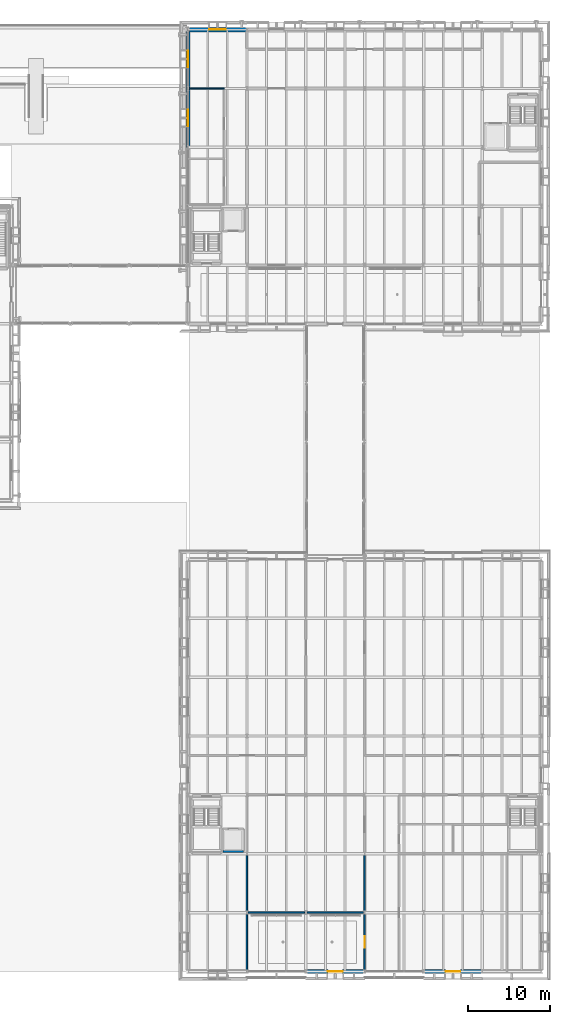
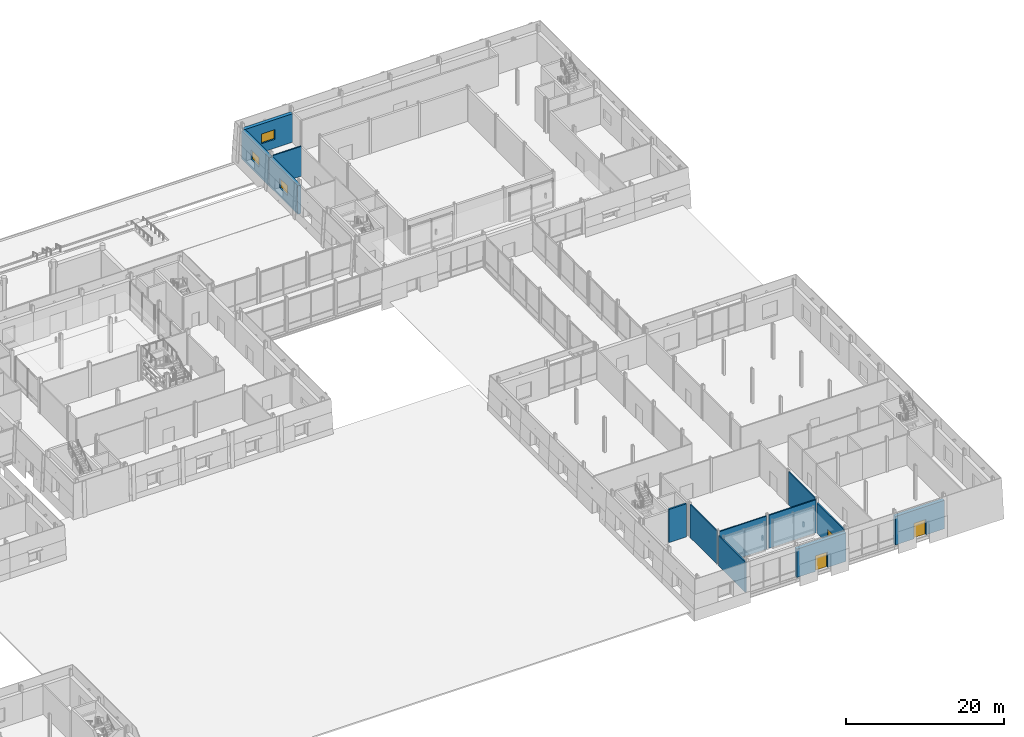
# One storey, part 78 of 120: 13 walls, 3 doors, 3 windows, 6 openings.
"""IFC4 building model written with IfcOpenShell, lengths in metres."""

from ifc_helpers import new_model, si_unit, direction, frame, frame_2d, origin, place, context, subcontext, project, spatial, rectangle, extrude, material, layer, layer_set, type_object, element, fill, save


model = new_model("IFC4")

# Units and contexts
model_context = context("Model", 3, precision=1e-05, world=origin(), true_north=direction((0.0, 1.0)))
body_context = subcontext(model_context, "Body", "Model", "MODEL_VIEW")
ifc_project = project(units=[si_unit("LENGTHUNIT", "METRE"), si_unit("AREAUNIT", "SQUARE_METRE"), si_unit("VOLUMEUNIT", "CUBIC_METRE"), si_unit("PLANEANGLEUNIT", "RADIAN"), si_unit("MASSUNIT", "GRAM", prefix="KILO")], contexts=[model_context])

# Site, building, storey
site_placement = place(None, origin())
site = spatial("IfcSite", under=ifc_project, at=site_placement, CompositionType="ELEMENT")
building_placement = place(site_placement, origin())
building = spatial("IfcBuilding", under=site, at=building_placement, Name="Narikvali Park Central Library", CompositionType="ELEMENT")
storey_placement = place(building_placement, origin())
storey = spatial("IfcBuildingStorey", under=building, at=storey_placement, Name="L00", CompositionType="ELEMENT", Elevation=0.0)

# Walls
ifc_material_1 = material(Name="Acoustic Gypsum on Steel Studs", Category="steel")
ifc_layer_1 = layer(ifc_material_1, 0.179931640625, Name="Acoustic Gypsum on Steel Studs")
ifc_layer_set_1 = layer_set([ifc_layer_1], Name="Acoustic Gypsum on Steel Studs")
wall_type_1 = type_object("IfcWallType", Name="Reading Room Acoustic Partition 180", PredefinedType="PARTITIONING", material=ifc_layer_set_1)
wall_1_placement = place(storey_placement, frame((122.553955078125, 108.0, 0.0), z_axis=(0.0, 0.0, 1.0), x_axis=(1.0, 0.0, 0.0)))
element("IfcWall", 1, at=wall_1_placement, inside=storey, type_object=wall_type_1, Name="Auditorium Cloakroom and Box Office Partition N", PredefinedType="PARTITIONING", context=body_context, shape_type="SweptSolid", body=[
    extrude(rectangle(XDim=4.24609375, YDim=0.179931640625, at=frame_2d((2.123046875, 0.0))), origin(), (0.0, 0.0, 1.0), 4.614990234375),
])
wall_2_placement = place(storey_placement, frame((129.75390625, 7.199951171875, 0.0), z_axis=(0.0, 0.0, 1.0), x_axis=(1.0, 0.0, 0.0)))
element("IfcWall", 2, at=wall_2_placement, inside=storey, type_object=wall_type_1, Name="Park Promenade Cafe Partition N", PredefinedType="PARTITIONING", context=body_context, shape_type="SweptSolid", body=[
    extrude(rectangle(XDim=6.89208984375, YDim=0.179931640625, at=frame_2d((3.446044921875, 0.0))), origin(), (0.0, 0.0, 1.0), 5.10498046875),
])
wall_3_placement = place(storey_placement, frame((136.9541015625, 7.199951171875, 0.0), z_axis=(0.0, 0.0, 1.0), x_axis=(1.0, 0.0, 0.0)))
element("IfcWall", 3, at=wall_3_placement, inside=storey, type_object=wall_type_1, Name="Park Promenade Cafe Partition N", PredefinedType="PARTITIONING", context=body_context, shape_type="SweptSolid", body=[
    extrude(rectangle(XDim=6.891845703125, YDim=0.179931640625, at=frame_2d((3.44580078125, 0.0))), origin(), (0.0, 0.0, 1.0), 5.10498046875),
])
wall_4_placement = place(storey_placement, frame((129.60009765625, 0.2041015625, 0.0), z_axis=(0.0, 0.0, 1.0), x_axis=(0.0, 1.0, 0.0)))
element("IfcWall", 4, at=wall_4_placement, inside=storey, type_object=wall_type_1, Name="Park Promenade Cafe Partition W", PredefinedType="PARTITIONING", context=body_context, shape_type="SweptSolid", body=[
    extrude(rectangle(XDim=6.7919921875, YDim=0.179931640625, at=frame_2d((3.39599609375, 0.0))), origin(), (0.0, 0.0, 1.0), 4.6650390625),
])

# Wall, opening, door
wall_5_placement = place(storey_placement, frame((144.0, 0.2041015625, 0.0), z_axis=(0.0, 0.0, 1.0), x_axis=(0.0, 1.0, 0.0)))
wall_5 = element("IfcWall", 5, at=wall_5_placement, inside=storey, type_object=wall_type_1, Name="Park Promenade Cafe Partition E", PredefinedType="PARTITIONING", context=body_context, shape_type="SweptSolid", body=[
    extrude(rectangle(XDim=6.7919921875, YDim=0.179931640625, at=frame_2d((3.39599609375, 0.0))), origin(), (0.0, 0.0, 1.0), 4.6650390625),
])
opening_1_placement = place(wall_5_placement, frame((2.696044921875, 0.0, 0.0)))
opening_1 = element("IfcOpeningElement", 6, at=opening_1_placement, cuts=wall_5, Name="Opening ID-0146", PredefinedType="OPENING", context=body_context, shape_type="SweptSolid", body=[
    extrude(rectangle(XDim=1.39990234375, YDim=2.199951171875, at=frame_2d((0.699951171875, 1.10009765625))), frame((0.0, 0.10205078125, 0.0), z_axis=(0.0, -1.0, 0.0), x_axis=(1.0, 0.0, 0.0)), (0.0, 0.0, 1.0), 0.203857421875),
])
ifc_material_2 = material(Name="Caucasian Oak and Acoustic Glass", Category="glass")
door_type_1 = type_object("IfcDoorType", Name="Community Room Glazed Oak Door 1400x2200", OperationType="DOUBLE_DOOR_SINGLE_SWING", PredefinedType="DOOR", material=ifc_material_2)
door_1_placement = place(opening_1_placement, origin())
door_1 = element("IfcDoor", 7, at=door_1_placement, inside=storey, type_object=door_type_1, Name="Park Promenade Cafe Door ID-0146", OperationType="DOUBLE_DOOR_SINGLE_SWING", OverallHeight=2.199951171875, OverallWidth=1.39990234375, PredefinedType="DOOR", context=body_context, shape_type="SweptSolid", body=[
    extrude(rectangle(XDim=1.39990234375, YDim=2.199951171875, at=frame_2d((0.699951171875, 1.10009765625))), frame((0.0, 0.02490234375, 0.0), z_axis=(0.0, -1.0, 0.0), x_axis=(1.0, 0.0, 0.0)), (0.0, 0.0, 1.0), 0.050048828125),
])
fill(opening_1, door_1)

# Walls
for number, where, z_axis, x_axis, name in (
    (8, (129.60009765625, 7.404052734375, 0.0), (0.0, 0.0, 1.0), (0.0, 1.0, 0.0), "Civic Lecture Hall Partition W"),
    (9, (144.0, 7.404052734375, 0.0), (0.0, 0.0, 1.0), (0.0, 1.0, 0.0), "Civic Lecture Hall Partition E"),
):
    element("IfcWall", number, at=place(storey_placement, frame(where, z_axis=z_axis, x_axis=x_axis)), inside=storey, type_object=wall_type_1, Name=name, PredefinedType="PARTITIONING", context=body_context, shape_type="SweptSolid", body=[
        extrude(rectangle(XDim=6.7919921875, YDim=0.179931640625, at=frame_2d((3.39599609375, 0.0))), origin(), (0.0, 0.0, 1.0), 5.10498046875),
    ])
ifc_material_3 = material(Name="Concrete C40/50", Category="concrete")
ifc_layer_2 = layer(ifc_material_3, 0.25, Name="Concrete C40/50")
ifc_layer_set_2 = layer_set([ifc_layer_2], Name="Concrete C40/50")
wall_type_2 = type_object("IfcWallType", Name="Reinforced Concrete Lift Shaft Wall 250", PredefinedType="SHEAR", material=ifc_layer_set_2)
wall_6_placement = place(storey_placement, frame((126.64990234375, 14.64990234375, 0.0), z_axis=(0.0, 0.0, 1.0), x_axis=(1.0, 0.0, 0.0)))
element("IfcWall", 10, at=wall_6_placement, inside=storey, type_object=wall_type_2, Name="L-07 L00 Lift Shaft Wall S", PredefinedType="SHEAR", context=body_context, shape_type="SweptSolid", body=[
    extrude(rectangle(XDim=2.550048828125, YDim=0.25, at=frame_2d((1.27490234375, 0.0))), origin(), (0.0, 0.0, 1.0), 5.1201171875),
])

# Wall, opening, window
ifc_material_4 = material(Name="White Rusticated Limestone over Concrete C35/45", Category="masonry")
ifc_layer_3 = layer(ifc_material_4, 0.52001953125, Name="White Rusticated Limestone over Concrete C35/45")
ifc_layer_set_3 = layer_set([ifc_layer_3], Name="White Rusticated Limestone over Concrete C35/45")
wall_type_3 = type_object("IfcWallType", Name="White Limestone Ashlar Plinth Wall 520", PredefinedType="SOLIDWALL", material=ifc_layer_set_3)
wall_7_placement = place(storey_placement, frame((129.60009765625, 115.199951171875, 0.0), z_axis=(0.0, 0.0, 1.0), x_axis=(-1.0, 0.0, 0.0)))
wall_7 = element("IfcWall", 11, at=wall_7_placement, inside=storey, type_object=wall_type_3, Name="V3 L00 N Exterior Limestone Wall B06", PredefinedType="SOLIDWALL", context=body_context, shape_type="SweptSolid", body=[
    extrude(rectangle(XDim=7.046142578125, YDim=0.52001953125, at=frame_2d((3.52294921875, 0.0))), origin(), (0.0, 0.0, 1.0), 4.39990234375),
])
opening_2_placement = place(wall_7_placement, frame((2.60009765625, 0.0, 1.35009765625)))
opening_2 = element("IfcOpeningElement", 12, at=opening_2_placement, cuts=wall_7, Name="Opening WIN-0083", PredefinedType="OPENING", context=body_context, shape_type="SweptSolid", body=[
    extrude(rectangle(XDim=2.0, YDim=1.5, at=frame_2d((1.0, 0.75))), frame((0.0, 0.27197265625, 0.0), z_axis=(0.0, -1.0, 0.0), x_axis=(1.0, 0.0, 0.0)), (0.0, 0.0, 1.0), 0.5439453125),
])
ifc_material_5 = material(Name="Anodised Bronze Aluminium and Low-E Triple Glazing", Category="aluminium")
window_type = type_object("IfcWindowType", Name="Auditorium Acoustic Clerestory Window 2000x1500", PartitioningType="DOUBLE_PANEL_HORIZONTAL", PredefinedType="WINDOW", material=ifc_material_5)
window_1_placement = place(opening_2_placement, origin())
window_1 = element("IfcWindow", 13, at=window_1_placement, inside=storey, type_object=window_type, Name="V3 L00 N Deep-Reveal Window WIN-0083", OverallHeight=1.5, OverallWidth=2.0, PartitioningType="SINGLE_PANEL", PredefinedType="WINDOW", context=body_context, shape_type="SweptSolid", body=[
    extrude(rectangle(XDim=2.0, YDim=1.5, at=frame_2d((1.0, 0.75))), frame((0.0, 0.030029296875, 0.0), z_axis=(0.0, -1.0, 0.0), x_axis=(1.0, 0.0, 0.0)), (0.0, 0.0, 1.0), 0.06005859375),
])
fill(opening_2, window_1)

wall_8_placement = place(storey_placement, frame((122.39990234375, 114.970947265625, 0.0), z_axis=(0.0, 0.0, 1.0), x_axis=(0.0, -1.0, 0.0)))
wall_8 = element("IfcWall", 14, at=wall_8_placement, inside=storey, type_object=wall_type_3, Name="V3 L00 W Exterior Limestone Wall B01", PredefinedType="SOLIDWALL", context=body_context, shape_type="SweptSolid", body=[
    extrude(rectangle(XDim=6.970947265625, YDim=0.52001953125, at=frame_2d((3.4853515625, 0.0))), origin(), (0.0, 0.0, 1.0), 4.39990234375),
])
opening_3_placement = place(wall_8_placement, frame((2.37109375, 0.0, 1.35009765625)))
opening_3 = element("IfcOpeningElement", 15, at=opening_3_placement, cuts=wall_8, Name="Opening WIN-0084", PredefinedType="OPENING", context=body_context, shape_type="SweptSolid", body=[
    extrude(rectangle(XDim=2.0, YDim=1.5, at=frame_2d((1.0, 0.75))), frame((0.0, 0.27197265625, 0.0), z_axis=(0.0, -1.0, 0.0), x_axis=(1.0, 0.0, 0.0)), (0.0, 0.0, 1.0), 0.5439453125),
])
window_2_placement = place(opening_3_placement, origin())
window_2 = element("IfcWindow", 16, at=window_2_placement, inside=storey, type_object=window_type, Name="V3 L00 W Deep-Reveal Window WIN-0084", OverallHeight=1.5, OverallWidth=2.0, PartitioningType="SINGLE_PANEL", PredefinedType="WINDOW", context=body_context, shape_type="SweptSolid", body=[
    extrude(rectangle(XDim=2.0, YDim=1.5, at=frame_2d((1.0, 0.75))), frame((0.0, 0.030029296875, 0.0), z_axis=(0.0, -1.0, 0.0), x_axis=(1.0, 0.0, 0.0)), (0.0, 0.0, 1.0), 0.06005859375),
])
fill(opening_3, window_2)

wall_9_placement = place(storey_placement, frame((122.39990234375, 108.0, 0.0), z_axis=(0.0, 0.0, 1.0), x_axis=(0.0, -1.0, 0.0)))
wall_9 = element("IfcWall", 17, at=wall_9_placement, inside=storey, type_object=wall_type_3, Name="V3 L00 W Exterior Limestone Wall B02", PredefinedType="SOLIDWALL", context=body_context, shape_type="SweptSolid", body=[
    extrude(rectangle(XDim=7.199951171875, YDim=0.52001953125, at=frame_2d((3.60009765625, 0.0))), origin(), (0.0, 0.0, 1.0), 4.39990234375),
])
opening_4_placement = place(wall_9_placement, frame((2.60009765625, 0.0, 1.35009765625)))
opening_4 = element("IfcOpeningElement", 18, at=opening_4_placement, cuts=wall_9, Name="Opening WIN-0085", PredefinedType="OPENING", context=body_context, shape_type="SweptSolid", body=[
    extrude(rectangle(XDim=2.0, YDim=1.5, at=frame_2d((1.0, 0.75))), frame((0.0, 0.27197265625, 0.0), z_axis=(0.0, -1.0, 0.0), x_axis=(1.0, 0.0, 0.0)), (0.0, 0.0, 1.0), 0.5439453125),
])
window_3_placement = place(opening_4_placement, origin())
window_3 = element("IfcWindow", 19, at=window_3_placement, inside=storey, type_object=window_type, Name="V3 L00 W Deep-Reveal Window WIN-0085", OverallHeight=1.5, OverallWidth=2.0, PartitioningType="SINGLE_PANEL", PredefinedType="WINDOW", context=body_context, shape_type="SweptSolid", body=[
    extrude(rectangle(XDim=2.0, YDim=1.5, at=frame_2d((1.0, 0.75))), frame((0.0, 0.030029296875, 0.0), z_axis=(0.0, -1.0, 0.0), x_axis=(1.0, 0.0, 0.0)), (0.0, 0.0, 1.0), 0.06005859375),
])
fill(opening_4, window_3)

# Wall, opening, door
wall_10_placement = place(storey_placement, frame((136.800048828125, 0.0, 0.0), z_axis=(0.0, 0.0, 1.0), x_axis=(1.0, 0.0, 0.0)))
wall_10 = element("IfcWall", 20, at=wall_10_placement, inside=storey, type_object=wall_type_3, Name="V6 L00 S Exterior Limestone Wall B03", PredefinedType="SOLIDWALL", context=body_context, shape_type="SweptSolid", body=[
    extrude(rectangle(XDim=7.199951171875, YDim=0.52001953125, at=frame_2d((3.60009765625, 0.0))), origin(), (0.0, 0.0, 1.0), 4.39990234375),
])
opening_5_placement = place(wall_10_placement, frame((2.699951171875, 0.0, 0.0)))
opening_5 = element("IfcOpeningElement", 21, at=opening_5_placement, cuts=wall_10, Name="Opening ED-047", PredefinedType="OPENING", context=body_context, shape_type="SweptSolid", body=[
    extrude(rectangle(XDim=1.800048828125, YDim=2.39990234375, at=frame_2d((0.89990234375, 1.199951171875))), frame((0.0, 0.27197265625, 0.0), z_axis=(0.0, -1.0, 0.0), x_axis=(1.0, 0.0, 0.0)), (0.0, 0.0, 1.0), 0.5439453125),
])
ifc_material_6 = material(Name="Anodised Architectural Bronze and Tempered Glass", Category="glass")
door_type_2 = type_object("IfcDoorType", Name="Park Cafe Terrace Double Glazed Door 1800x2400", OperationType="DOUBLE_DOOR_SINGLE_SWING", PredefinedType="DOOR", material=ifc_material_6)
door_2_placement = place(opening_5_placement, frame((1.800048828125, 0.0, 0.0), z_axis=(0.0, 0.0, 1.0), x_axis=(-1.0, 0.0, 0.0)))
door_2 = element("IfcDoor", 22, at=door_2_placement, inside=storey, type_object=door_type_2, Name="V6 Ground Entrance Door ED-047", OperationType="DOUBLE_DOOR_SINGLE_SWING", OverallHeight=2.39990234375, OverallWidth=1.800048828125, PredefinedType="DOOR", context=body_context, shape_type="SweptSolid", body=[
    extrude(rectangle(XDim=1.800048828125, YDim=2.39990234375, at=frame_2d((0.89990234375, 1.199951171875))), frame((0.0, 0.02490234375, 0.0), z_axis=(0.0, -1.0, 0.0), x_axis=(1.0, 0.0, 0.0)), (0.0, 0.0, 1.0), 0.050048828125),
])
fill(opening_5, door_2)

wall_11_placement = place(storey_placement, frame((151.199951171875, 0.0, 0.0), z_axis=(0.0, 0.0, 1.0), x_axis=(1.0, 0.0, 0.0)))
wall_11 = element("IfcWall", 23, at=wall_11_placement, inside=storey, type_object=wall_type_3, Name="V6 L00 S Exterior Limestone Wall B05", PredefinedType="SOLIDWALL", context=body_context, shape_type="SweptSolid", body=[
    extrude(rectangle(XDim=7.199951171875, YDim=0.52001953125, at=frame_2d((3.60009765625, 0.0))), origin(), (0.0, 0.0, 1.0), 4.39990234375),
])
opening_6_placement = place(wall_11_placement, frame((2.699951171875, 0.0, 0.0)))
opening_6 = element("IfcOpeningElement", 24, at=opening_6_placement, cuts=wall_11, Name="Opening ED-048", PredefinedType="OPENING", context=body_context, shape_type="SweptSolid", body=[
    extrude(rectangle(XDim=1.800048828125, YDim=2.39990234375, at=frame_2d((0.89990234375, 1.199951171875))), frame((0.0, 0.27197265625, 0.0), z_axis=(0.0, -1.0, 0.0), x_axis=(1.0, 0.0, 0.0)), (0.0, 0.0, 1.0), 0.5439453125),
])
door_3_placement = place(opening_6_placement, frame((1.800048828125, 0.0, 0.0), z_axis=(0.0, 0.0, 1.0), x_axis=(-1.0, 0.0, 0.0)))
door_3 = element("IfcDoor", 25, at=door_3_placement, inside=storey, type_object=door_type_2, Name="V6 Ground Entrance Door ED-048", OperationType="DOUBLE_DOOR_SINGLE_SWING", OverallHeight=2.39990234375, OverallWidth=1.800048828125, PredefinedType="DOOR", context=body_context, shape_type="SweptSolid", body=[
    extrude(rectangle(XDim=1.800048828125, YDim=2.39990234375, at=frame_2d((0.89990234375, 1.199951171875))), frame((0.0, 0.02490234375, 0.0), z_axis=(0.0, -1.0, 0.0), x_axis=(1.0, 0.0, 0.0)), (0.0, 0.0, 1.0), 0.050048828125),
])
fill(opening_6, door_3)

save(model, "model.ifc")
